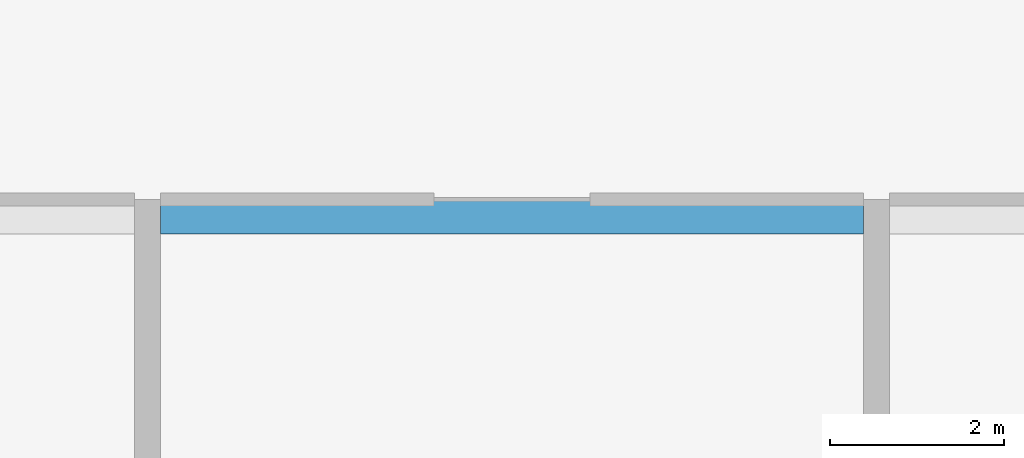
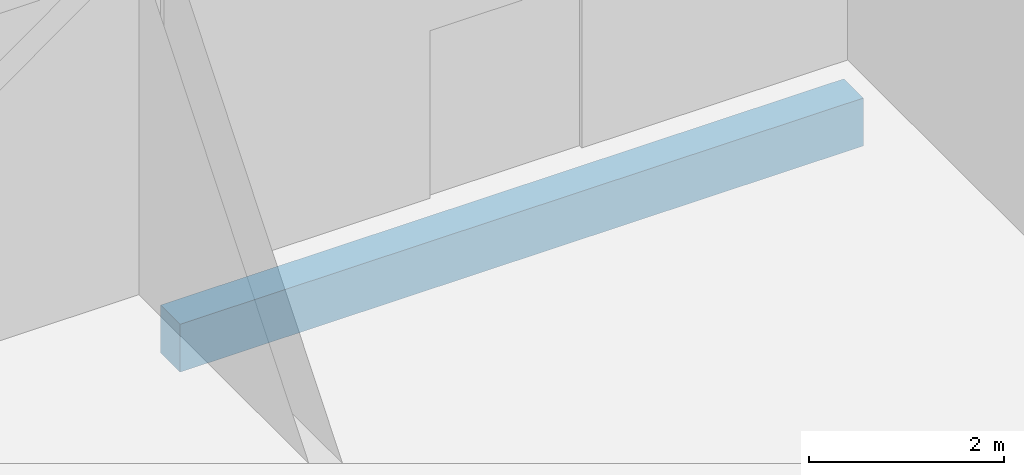
# One storey, part 4 of 19: 1 beam.
"""IFC4 building model written with IfcOpenShell, lengths in metres."""

from ifc_helpers import new_model, si_unit, direction, frame, origin, origin_2d, place, context, subcontext, project, spatial, rectangle, extrude, source, transform, mapped, material, material_profile, profile_set, type_object, element, save


model = new_model("IFC4")

# Units and contexts
model_context = context("Model", 3, precision=1e-05, world=origin(), true_north=direction((0.0, 1.0)))
body_context = subcontext(model_context, "Body", "Model", "MODEL_VIEW")
ifc_project = project(units=[si_unit("LENGTHUNIT", "METRE"), si_unit("AREAUNIT", "SQUARE_METRE"), si_unit("VOLUMEUNIT", "CUBIC_METRE"), si_unit("PLANEANGLEUNIT", "RADIAN"), si_unit("MASSUNIT", "GRAM", prefix="KILO")], contexts=[model_context])

# Site, building, storey
site_placement = place(None, origin())
site = spatial("IfcSite", under=ifc_project, at=site_placement, CompositionType="ELEMENT")
building_placement = place(site_placement, origin())
building = spatial("IfcBuilding", under=site, at=building_placement, Name="Vanashikhar Sky Hotel", CompositionType="ELEMENT")
storey_placement = place(building_placement, frame((0.0, 0.0, 146.199951171875)))
storey = spatial("IfcBuildingStorey", under=building, at=storey_placement, Name="L35", CompositionType="ELEMENT", Elevation=146.199951171875)

# Beam
ifc_material = material(Name="Concrete M50", Category="concrete")
ifc_material_profile = material_profile(ifc_material, rectangle(XDim=0.39990234375, YDim=0.60009765625, at=origin_2d()))
ifc_profile_set = profile_set([ifc_material_profile], Name="RC 400x600 beam Concrete M50")
beam_type = type_object("IfcBeamType", Name="RC 400x600 beam Concrete M50", PredefinedType="BEAM", material=ifc_profile_set)
shared_shape = source(origin(), body_context, "Body", "SweptSolid", [
    extrude(rectangle(XDim=0.39990234375, YDim=0.60009765625, at=origin_2d()), origin(), (0.0, 0.0, 1.0), 8.10009765625),
])
beam_placement = place(storey_placement, frame((58.949951171875, 19.39990234375, -0.579833984375), z_axis=(1.0, 0.0, 0.0), x_axis=(0.0, 1.0, 0.0)))
element("IfcBeam", 1, at=beam_placement, inside=storey, type_object=beam_type, Name="CB-L35-05", PredefinedType="BEAM", context=body_context, shape_type="MappedRepresentation", body=[
    mapped(shared_shape, transform((0.0, 0.0, 0.0), scale=1.0)),
])

save(model, "model.ifc")
